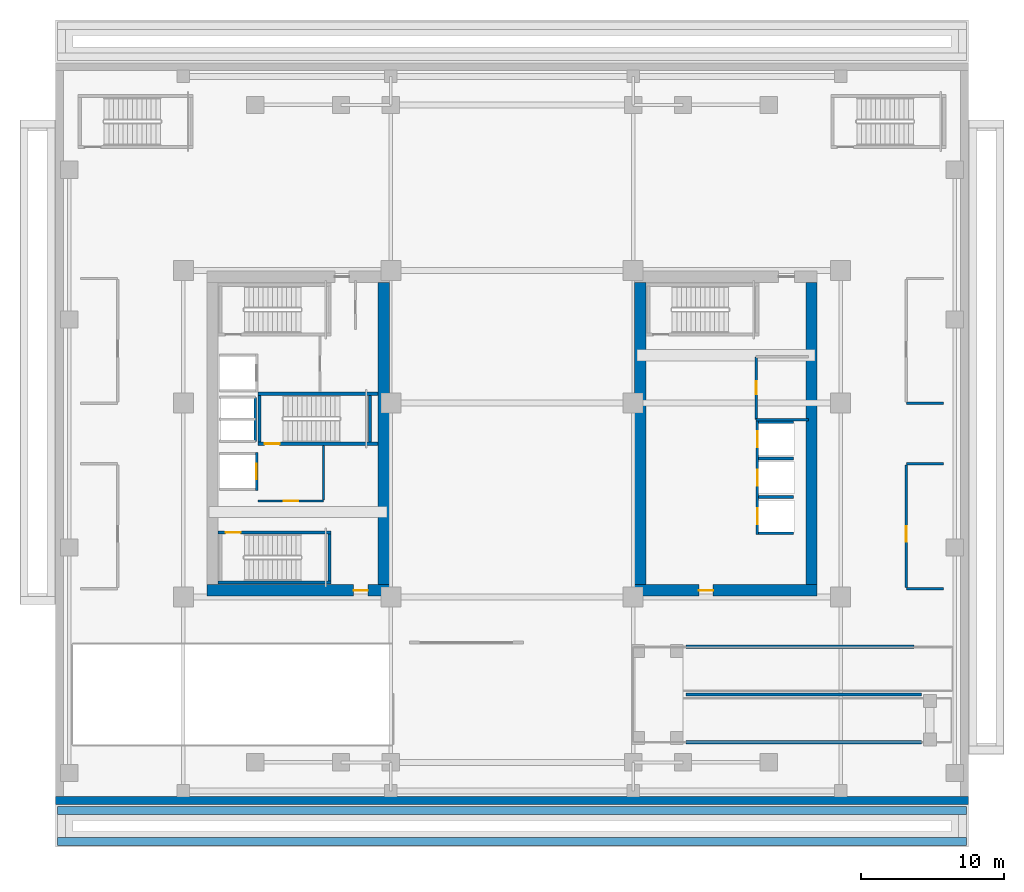
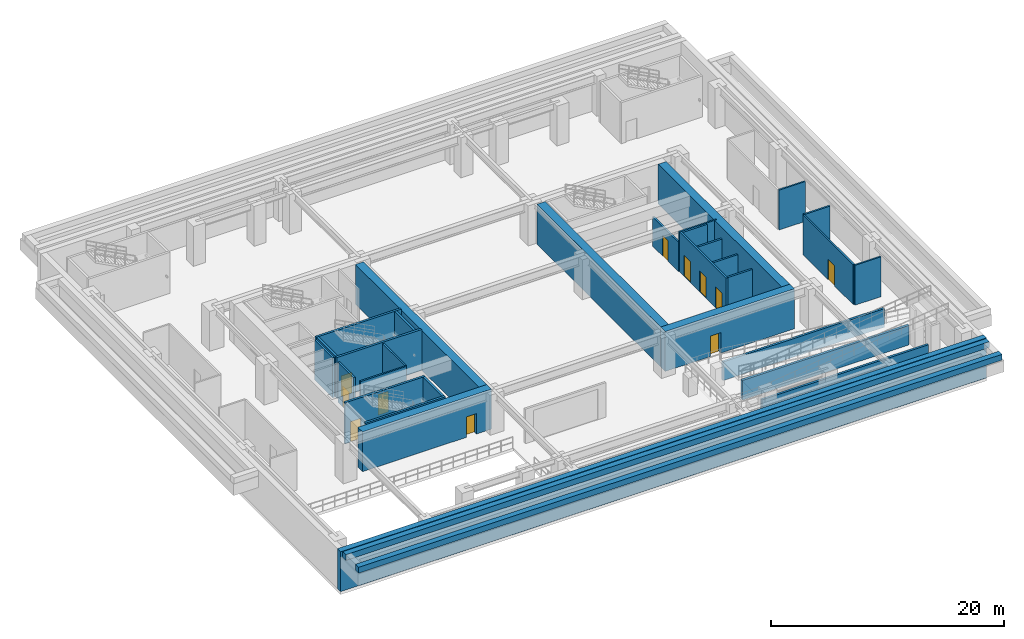
# One storey, part 3 of 9: 33 walls, 11 doors, 11 openings.
"""IFC4 building model written with IfcOpenShell, lengths in metres."""

from ifc_helpers import new_model, si_unit, direction, frame, frame_2d, origin, place, context, subcontext, project, spatial, rectangle, extrude, source, transform, mapped, material, layer, layer_set, type_object, element, fill, save


model = new_model("IFC4")

# Units and contexts
model_context = context("Model", 3, precision=1e-05, world=origin(), true_north=direction((0.0, 1.0)))
body_context = subcontext(model_context, "Body", "Model", "MODEL_VIEW")
ifc_project = project(units=[si_unit("LENGTHUNIT", "METRE"), si_unit("AREAUNIT", "SQUARE_METRE"), si_unit("VOLUMEUNIT", "CUBIC_METRE"), si_unit("PLANEANGLEUNIT", "RADIAN"), si_unit("MASSUNIT", "GRAM", prefix="KILO")], contexts=[model_context])

# Site, building, storey
site_placement = place(None, origin())
site = spatial("IfcSite", under=ifc_project, at=site_placement, CompositionType="ELEMENT")
building_placement = place(site_placement, origin())
building = spatial("IfcBuilding", under=site, at=building_placement, Name="Ocotamira Hotel", CompositionType="ELEMENT")
storey_placement = place(building_placement, frame((0.0, 0.0, -4.5)))
storey = spatial("IfcBuildingStorey", under=building, at=storey_placement, Name="B01", CompositionType="ELEMENT", Elevation=-4.5)

# Wall, opening, door
ifc_material_1 = material(Name="Concrete C60/75", Category="concrete")
ifc_layer_1 = layer(ifc_material_1, 0.800048828125)
ifc_layer_set_1 = layer_set([ifc_layer_1], Name="Concrete C60/75")
wall_type_1 = type_object("IfcWallType", Name="WL-CORE-800", PredefinedType="SHEAR", material=ifc_layer_set_1)
wall_1_placement = place(storey_placement, frame((10.60009765625, 15.0, 0.0), z_axis=(0.0, 0.0, 1.0), x_axis=(1.0, 0.0, 0.0)))
wall_1 = element("IfcWall", 1, at=wall_1_placement, inside=storey, type_object=wall_type_1, Name="B01 Shear Core Wall WCORE-S", PredefinedType="SHEAR", context=body_context, shape_type="SweptSolid", body=[
    extrude(rectangle(XDim=12.7998046875, YDim=0.800048828125, at=frame_2d((6.39990234375, 0.0))), origin(), (0.0, 0.0, 1.0), 4.179931640625),
])
opening_1_placement = place(wall_1_placement, frame((10.300048828125, 0.0, 0.0)))
opening_1 = element("IfcOpeningElement", 2, at=opening_1_placement, cuts=wall_1, Name="Opening D-FR2", PredefinedType="OPENING", context=body_context, shape_type="SweptSolid", body=[
    extrude(rectangle(XDim=1.0, YDim=2.14990234375, at=frame_2d((0.5, 1.074951171875))), frame((0.0, 0.41015625, 0.0), z_axis=(0.0, -1.0, 0.0), x_axis=(1.0, 0.0, 0.0)), (0.0, 0.0, 1.0), 0.820068359375),
])
ifc_material_2 = material(Name="Fire-rated acoustic timber-veneer door", Category="wood")
door_type_1 = type_object("IfcDoorType", Name="DR-FIRE-1000", OperationType="NOTDEFINED", PredefinedType="DOOR", material=ifc_material_2)
shared_shape_1 = source(origin(), body_context, "Body", "SweptSolid", [
    extrude(rectangle(XDim=1.0, YDim=2.14990234375, at=frame_2d((0.5, 1.074951171875))), frame((0.0, 0.02490234375, 0.0), z_axis=(0.0, -1.0, 0.0), x_axis=(1.0, 0.0, 0.0)), (0.0, 0.0, 1.0), 0.050048828125),
])
door_1_placement = place(opening_1_placement, origin())
door_1 = element("IfcDoor", 3, at=door_1_placement, inside=storey, type_object=door_type_1, Name="B01 Door ID-B01-WLOB-S-D [ID-B01-WLOB-S-D]", OperationType="SINGLE_SWING_LEFT", OverallHeight=2.14990234375, OverallWidth=1.0, PredefinedType="DOOR", context=body_context, shape_type="MappedRepresentation", body=[
    mapped(shared_shape_1, transform((0.0, 0.0, 0.0), scale=1.0)),
])
fill(opening_1, door_1)

# Wall
wall_2_placement = place(storey_placement, frame((23.0, 15.39990234375, 0.0), z_axis=(0.0, 0.0, 1.0), x_axis=(0.0, 1.0, 0.0)))
element("IfcWall", 4, at=wall_2_placement, inside=storey, type_object=wall_type_1, Name="B01 Shear Core Wall WCORE-E", PredefinedType="SHEAR", context=body_context, shape_type="SweptSolid", body=[
    extrude(rectangle(XDim=21.2001953125, YDim=0.800048828125, at=frame_2d((10.60009765625, 0.0))), origin(), (0.0, 0.0, 1.0), 4.179931640625),
])

# Wall, opening, door
wall_3_placement = place(storey_placement, frame((40.60009765625, 15.0, 0.0), z_axis=(0.0, 0.0, 1.0), x_axis=(1.0, 0.0, 0.0)))
wall_3 = element("IfcWall", 5, at=wall_3_placement, inside=storey, type_object=wall_type_1, Name="B01 Shear Core Wall ECORE-S", PredefinedType="SHEAR", context=body_context, shape_type="SweptSolid", body=[
    extrude(rectangle(XDim=12.7998046875, YDim=0.800048828125, at=frame_2d((6.39990234375, 0.0))), origin(), (0.0, 0.0, 1.0), 4.179931640625),
])
opening_2_placement = place(wall_3_placement, frame((4.5, 0.0, 0.0)))
opening_2 = element("IfcOpeningElement", 6, at=opening_2_placement, cuts=wall_3, Name="Opening D-FR2", PredefinedType="OPENING", context=body_context, shape_type="SweptSolid", body=[
    extrude(rectangle(XDim=1.0, YDim=2.14990234375, at=frame_2d((0.5, 1.074951171875))), frame((0.0, 0.41015625, 0.0), z_axis=(0.0, -1.0, 0.0), x_axis=(1.0, 0.0, 0.0)), (0.0, 0.0, 1.0), 0.820068359375),
])
door_2_placement = place(opening_2_placement, origin())
door_2 = element("IfcDoor", 7, at=door_2_placement, inside=storey, type_object=door_type_1, Name="B01 Door ID-B01-ELOB-S-D [ID-B01-ELOB-S-D]", OperationType="SINGLE_SWING_RIGHT", OverallHeight=2.14990234375, OverallWidth=1.0, PredefinedType="DOOR", context=body_context, shape_type="MappedRepresentation", body=[
    mapped(shared_shape_1, transform((0.0, 0.0, 0.0), scale=1.0)),
])
fill(opening_2, door_2)

# Walls
for number, where, z_axis, x_axis, name in (
    (8, (41.0, 15.39990234375, 0.0), (0.0, 0.0, 1.0), (0.0, 1.0, 0.0), "B01 Shear Core Wall ECORE-W"),
    (9, (53.0, 15.39990234375, 0.0), (0.0, 0.0, 1.0), (0.0, 1.0, 0.0), "B01 Shear Core Wall ECORE-E"),
):
    element("IfcWall", number, at=place(storey_placement, frame(where, z_axis=z_axis, x_axis=x_axis)), inside=storey, type_object=wall_type_1, Name=name, PredefinedType="SHEAR", context=body_context, shape_type="SweptSolid", body=[
        extrude(rectangle(XDim=21.2001953125, YDim=0.800048828125, at=frame_2d((10.60009765625, 0.0))), origin(), (0.0, 0.0, 1.0), 4.179931640625),
    ])

# Wall, opening, door
ifc_material_3 = material(Name="Acoustic double-layer fire gypsum board partition", Category="gypsum")
ifc_layer_2 = layer(ifc_material_3, 0.159912109375)
ifc_layer_set_2 = layer_set([ifc_layer_2], Name="Acoustic double-layer fire gypsum board partition")
wall_type_2 = type_object("IfcWallType", Name="WL-FIRE-160", PredefinedType="PARTITIONING", material=ifc_layer_set_2)
wall_4_placement = place(storey_placement, frame((14.199951171875, 21.27001953125, 0.0), z_axis=(0.0, 0.0, 1.0), x_axis=(1.0, 0.0, 0.0)))
wall_4 = element("IfcWall", 10, at=wall_4_placement, inside=storey, type_object=wall_type_2, Name="B01 Interior Wall PW-B01-FSAE1-S", PredefinedType="PARTITIONING", context=body_context, shape_type="SweptSolid", body=[
    extrude(rectangle(XDim=4.580078125, YDim=0.159912109375, at=frame_2d((2.2900390625, 0.0))), origin(), (0.0, 0.0, 1.0), 4.179931640625),
])
opening_3_placement = place(wall_4_placement, frame((1.800048828125, 0.0, 0.0)))
opening_3 = element("IfcOpeningElement", 11, at=opening_3_placement, cuts=wall_4, Name="Opening D-FR2", PredefinedType="OPENING", context=body_context, shape_type="SweptSolid", body=[
    extrude(rectangle(XDim=1.0, YDim=2.14990234375, at=frame_2d((0.5, 1.074951171875))), frame((0.0, 0.08984375, 0.0), z_axis=(0.0, -1.0, 0.0), x_axis=(1.0, 0.0, 0.0)), (0.0, 0.0, 1.0), 0.179931640625),
])
door_3_placement = place(opening_3_placement, origin())
door_3 = element("IfcDoor", 12, at=door_3_placement, inside=storey, type_object=door_type_1, Name="B01 Door ID-B01-FSAE1-D [ID-B01-FSAE1-D]", OperationType="SINGLE_SWING_LEFT", OverallHeight=2.14990234375, OverallWidth=1.0, PredefinedType="DOOR", context=body_context, shape_type="MappedRepresentation", body=[
    mapped(shared_shape_1, transform((0.0, 0.0, 0.0), scale=1.0)),
])
fill(opening_3, door_3)

# Walls
wall_5_placement = place(storey_placement, frame((18.780029296875, 21.35009765625, 0.0), z_axis=(0.0, 0.0, 1.0), x_axis=(0.0, 1.0, 0.0)))
element("IfcWall", 13, at=wall_5_placement, inside=storey, type_object=wall_type_2, Name="B01 Interior Wall PW-B01-FSAE1-E", PredefinedType="PARTITIONING", context=body_context, shape_type="SweptSolid", body=[
    extrude(rectangle(XDim=3.809814453125, YDim=0.159912109375, at=frame_2d((1.90478515625, 0.0))), origin(), (0.0, 0.0, 1.0), 4.179931640625),
])
wall_6_placement = place(storey_placement, frame((49.1201171875, 26.969970703125, 0.0), z_axis=(0.0, 0.0, 1.0), x_axis=(1.0, 0.0, 0.0)))
element("IfcWall", 14, at=wall_6_placement, inside=storey, type_object=wall_type_2, Name="B01 Interior Wall PW-B01-EC-NEL-S", PredefinedType="PARTITIONING", context=body_context, shape_type="SweptSolid", body=[
    extrude(rectangle(XDim=3.679931640625, YDim=0.159912109375, at=frame_2d((1.83984375, 0.0))), origin(), (0.0, 0.0, 1.0), 4.179931640625),
])

# Wall, opening, door
wall_7_placement = place(storey_placement, frame((49.1201171875, 26.969970703125, 0.0), z_axis=(0.0, 0.0, 1.0), x_axis=(0.0, 1.0, 0.0)))
wall_7 = element("IfcWall", 15, at=wall_7_placement, inside=storey, type_object=wall_type_2, Name="B01 Interior Wall PW-B01-EC-NEL-W", PredefinedType="PARTITIONING", context=body_context, shape_type="SweptSolid", body=[
    extrude(rectangle(XDim=4.409912109375, YDim=0.159912109375, at=frame_2d((2.205078125, 0.0))), origin(), (0.0, 0.0, 1.0), 3.080078125),
])
opening_4_placement = place(wall_7_placement, frame((1.800048828125, 0.0, 0.0)))
opening_4 = element("IfcOpeningElement", 16, at=opening_4_placement, cuts=wall_7, Name="Opening D-IN3", PredefinedType="OPENING", context=body_context, shape_type="SweptSolid", body=[
    extrude(rectangle(XDim=0.89990234375, YDim=2.14990234375, at=frame_2d((0.449951171875, 1.074951171875))), frame((0.0, 0.08984375, 0.0), z_axis=(0.0, -1.0, 0.0), x_axis=(1.0, 0.0, 0.0)), (0.0, 0.0, 1.0), 0.179931640625),
])
ifc_material_4 = material(Name="Painted service room door", Category="steel")
door_type_2 = type_object("IfcDoorType", Name="DR-INT-900", OperationType="NOTDEFINED", PredefinedType="DOOR", material=ifc_material_4)
shared_shape_2 = source(origin(), body_context, "Body", "SweptSolid", [
    extrude(rectangle(XDim=0.89990234375, YDim=2.14990234375, at=frame_2d((0.449951171875, 1.074951171875))), frame((0.0, 0.02490234375, 0.0), z_axis=(0.0, -1.0, 0.0), x_axis=(1.0, 0.0, 0.0)), (0.0, 0.0, 1.0), 0.050048828125),
])
door_4_placement = place(opening_4_placement, origin())
door_4 = element("IfcDoor", 17, at=door_4_placement, inside=storey, type_object=door_type_2, Name="B01 Door ID-B01-EC-NEL-D [ID-B01-EC-NEL-D]", OperationType="SINGLE_SWING_RIGHT", OverallHeight=2.14990234375, OverallWidth=0.89990234375, PredefinedType="DOOR", context=body_context, shape_type="MappedRepresentation", body=[
    mapped(shared_shape_2, transform((0.0, 0.0, 0.0), scale=1.0)),
])
fill(opening_4, door_4)

# Walls
for number, where, z_axis, x_axis, name in (
    (18, (59.64990234375, 15.1201171875, 0.0), (0.0, 0.0, 1.0), (1.0, 0.0, 0.0), "B01 Interior Wall PW-B01-B01-GEN-S"),
    (19, (59.64990234375, 23.8798828125, 0.0), (0.0, 0.0, 1.0), (1.0, 0.0, 0.0), "B01 Interior Wall PW-B01-B01-GEN-N"),
):
    element("IfcWall", number, at=place(storey_placement, frame(where, z_axis=z_axis, x_axis=x_axis)), inside=storey, type_object=wall_type_2, Name=name, PredefinedType="PARTITIONING", context=body_context, shape_type="SweptSolid", body=[
        extrude(rectangle(XDim=2.60009765625, YDim=0.159912109375, at=frame_2d((1.300048828125, 0.0))), origin(), (0.0, 0.0, 1.0), 4.179931640625),
    ])

# Wall, opening, door
wall_8_placement = place(storey_placement, frame((59.64990234375, 15.199951171875, 0.0), z_axis=(0.0, 0.0, 1.0), x_axis=(0.0, 1.0, 0.0)))
wall_8 = element("IfcWall", 20, at=wall_8_placement, inside=storey, type_object=wall_type_2, Name="B01 Interior Wall PW-B01-B01-GEN-W", PredefinedType="PARTITIONING", context=body_context, shape_type="SweptSolid", body=[
    extrude(rectangle(XDim=8.60009765625, YDim=0.159912109375, at=frame_2d((4.300048828125, 0.0))), origin(), (0.0, 0.0, 1.0), 4.179931640625),
])
opening_5_placement = place(wall_8_placement, frame((3.199951171875, 0.0, 0.0)))
opening_5 = element("IfcOpeningElement", 21, at=opening_5_placement, cuts=wall_8, Name="Opening D-FR1", PredefinedType="OPENING", context=body_context, shape_type="SweptSolid", body=[
    extrude(rectangle(XDim=1.10009765625, YDim=2.14990234375, at=frame_2d((0.550048828125, 1.074951171875))), frame((0.0, 0.08984375, 0.0), z_axis=(0.0, -1.0, 0.0), x_axis=(1.0, 0.0, 0.0)), (0.0, 0.0, 1.0), 0.179931640625),
])
door_type_3 = type_object("IfcDoorType", Name="DR-FIRE-1100", OperationType="NOTDEFINED", PredefinedType="DOOR", material=ifc_material_2)
shared_shape_3 = source(origin(), body_context, "Body", "SweptSolid", [
    extrude(rectangle(XDim=1.10009765625, YDim=2.14990234375, at=frame_2d((0.550048828125, 1.074951171875))), frame((0.0, 0.02490234375, 0.0), z_axis=(0.0, -1.0, 0.0), x_axis=(1.0, 0.0, 0.0)), (0.0, 0.0, 1.0), 0.050048828125),
])
door_5_placement = place(opening_5_placement, origin())
door_5 = element("IfcDoor", 22, at=door_5_placement, inside=storey, type_object=door_type_3, Name="B01 Door ID-B01-B01-GEN-D [ID-B01-B01-GEN-D]", OperationType="SINGLE_SWING_RIGHT", OverallHeight=2.14990234375, OverallWidth=1.10009765625, PredefinedType="DOOR", context=body_context, shape_type="MappedRepresentation", body=[
    mapped(shared_shape_3, transform((0.0, 0.0, 0.0), scale=1.0)),
])
fill(opening_5, door_5)

# Walls
wall_9_placement = place(storey_placement, frame((59.64990234375, 28.1201171875, 0.0), z_axis=(0.0, 0.0, 1.0), x_axis=(1.0, 0.0, 0.0)))
element("IfcWall", 23, at=wall_9_placement, inside=storey, type_object=wall_type_2, Name="B01 Interior Wall PW-B01-B01-BIKE-S", PredefinedType="PARTITIONING", context=body_context, shape_type="SweptSolid", body=[
    extrude(rectangle(XDim=2.60009765625, YDim=0.159912109375, at=frame_2d((1.300048828125, 0.0))), origin(), (0.0, 0.0, 1.0), 4.179931640625),
])
ifc_material_5 = material(Name="Concrete C50/60", Category="concrete")
ifc_layer_3 = layer(ifc_material_5, 0.550048828125)
ifc_layer_set_3 = layer_set([ifc_layer_3], Name="Concrete C50/60")
wall_type_3 = type_object("IfcWallType", Name="WL-RET-550", PredefinedType="USERDEFINED", material=ifc_layer_set_3)
for number, where, z_axis, x_axis, name in (
    (24, (0.125, -2.60009765625, 3.64990234375), (0.0, 0.0, 1.0), (1.0, 0.0, 0.0), "B01 Shear Core Wall RW-PLZ-SOUTH-S"),
    (25, (0.125, -0.419921875, 3.64990234375), (0.0, 0.0, 1.0), (1.0, 0.0, 0.0), "B01 Shear Core Wall RW-PLZ-SOUTH-N"),
):
    element("IfcWall", number, at=place(storey_placement, frame(where, z_axis=z_axis, x_axis=x_axis)), inside=storey, type_object=wall_type_3, Name=name, ObjectType="RETAINING WALL", PredefinedType="USERDEFINED", context=body_context, shape_type="SweptSolid", body=[
        extrude(rectangle(XDim=63.75, YDim=0.550048828125, at=frame_2d((31.875, 0.0))), origin(), (0.0, 0.0, 1.0), 0.60009765625),
    ])
wall_10_placement = place(storey_placement, frame((0.0, 0.27490234375, 0.0), z_axis=(0.0, 0.0, 1.0), x_axis=(1.0, 0.0, 0.0)))
element("IfcWall", 26, at=wall_10_placement, inside=storey, type_object=wall_type_3, Name="B01 Shear Core Wall RW-PERIM-S", ObjectType="RETAINING WALL", PredefinedType="USERDEFINED", context=body_context, shape_type="SweptSolid", body=[
    extrude(rectangle(XDim=64.0, YDim=0.550048828125, at=frame_2d((32.0, 0.0))), origin(), (0.0, 0.0, 1.0), 4.179931640625),
])

# Wall, openings, doors
ifc_material_6 = material(Name="Fire-rated gypsum shaftliner board assembly", Category="gypsum")
ifc_layer_4 = layer(ifc_material_6, 0.179931640625)
ifc_layer_set_4 = layer_set([ifc_layer_4], Name="Fire-rated gypsum shaftliner board assembly")
wall_type_4 = type_object("IfcWallType", Name="WL-SHAFT-180", PredefinedType="SOLIDWALL", material=ifc_layer_set_4)
wall_11_placement = place(storey_placement, frame((49.2099609375, 18.919921875, 0.0), z_axis=(0.0, 0.0, 1.0), x_axis=(0.0, 1.0, 0.0)))
wall_11 = element("IfcWall", 27, at=wall_11_placement, inside=storey, type_object=wall_type_4, Name="B01 Interior Wall PW-B01-LFW-BANK-low-F", PredefinedType="SOLIDWALL", context=body_context, shape_type="SweptSolid", body=[
    extrude(rectangle(XDim=7.9599609375, YDim=0.179931640625, at=frame_2d((3.97998046875, 0.0))), origin(), (0.0, 0.0, 1.0), 4.179931640625),
])
opening_6_placement = place(wall_11_placement, frame((0.72998046875, 0.0, 0.0)))
opening_6 = element("IfcOpeningElement", 28, at=opening_6_placement, cuts=wall_11, Name="Opening LD-LF-P1", PredefinedType="OPENING", context=body_context, shape_type="SweptSolid", body=[
    extrude(rectangle(XDim=1.10009765625, YDim=2.199951171875, at=frame_2d((0.550048828125, 1.10009765625))), frame((0.0, 0.10009765625, 0.0), z_axis=(0.0, -1.0, 0.0), x_axis=(1.0, 0.0, 0.0)), (0.0, 0.0, 1.0), 0.199951171875),
])
opening_7_placement = place(wall_11_placement, frame((3.429931640625, 0.0, 0.0)))
opening_7 = element("IfcOpeningElement", 29, at=opening_7_placement, cuts=wall_11, Name="Opening LD-LF-P2", PredefinedType="OPENING", context=body_context, shape_type="SweptSolid", body=[
    extrude(rectangle(XDim=1.10009765625, YDim=2.199951171875, at=frame_2d((0.550048828125, 1.10009765625))), frame((0.0, 0.10009765625, 0.0), z_axis=(0.0, -1.0, 0.0), x_axis=(1.0, 0.0, 0.0)), (0.0, 0.0, 1.0), 0.199951171875),
])
opening_8_placement = place(wall_11_placement, frame((6.1298828125, 0.0, 0.0)))
opening_8 = element("IfcOpeningElement", 30, at=opening_8_placement, cuts=wall_11, Name="Opening LD-LF-P3", PredefinedType="OPENING", context=body_context, shape_type="SweptSolid", body=[
    extrude(rectangle(XDim=1.10009765625, YDim=2.199951171875, at=frame_2d((0.550048828125, 1.10009765625))), frame((0.0, 0.10009765625, 0.0), z_axis=(0.0, -1.0, 0.0), x_axis=(1.0, 0.0, 0.0)), (0.0, 0.0, 1.0), 0.199951171875),
])
ifc_material_7 = material(Name="Brushed pale-metal stainless elevator landing door", Category="steel")
door_type_4 = type_object("IfcDoorType", Name="DR-LIFT-1100", OperationType="NOTDEFINED", PredefinedType="DOOR", material=ifc_material_7)
shared_shape_4 = source(origin(), body_context, "Body", "SweptSolid", [
    extrude(rectangle(XDim=1.10009765625, YDim=2.199951171875, at=frame_2d((0.550048828125, 1.10009765625))), frame((0.0, 0.02490234375, 0.0), z_axis=(0.0, -1.0, 0.0), x_axis=(1.0, 0.0, 0.0)), (0.0, 0.0, 1.0), 0.050048828125),
])
door_6_placement = place(opening_6_placement, origin())
door_6 = element("IfcDoor", 31, at=door_6_placement, inside=storey, type_object=door_type_4, Name="B01 Landing Door LD-LF-P1 [ID-B01-LD-LF-P1]", OperationType="DOUBLE_DOOR_SLIDING", OverallHeight=2.199951171875, OverallWidth=1.10009765625, PredefinedType="DOOR", context=body_context, shape_type="MappedRepresentation", body=[
    mapped(shared_shape_4, transform((0.0, 0.0, 0.0), scale=1.0)),
])
fill(opening_6, door_6)
door_7_placement = place(opening_7_placement, origin())
door_7 = element("IfcDoor", 32, at=door_7_placement, inside=storey, type_object=door_type_4, Name="B01 Landing Door LD-LF-P2 [ID-B01-LD-LF-P2]", OperationType="DOUBLE_DOOR_SLIDING", OverallHeight=2.199951171875, OverallWidth=1.10009765625, PredefinedType="DOOR", context=body_context, shape_type="MappedRepresentation", body=[
    mapped(shared_shape_4, transform((0.0, 0.0, 0.0), scale=1.0)),
])
fill(opening_7, door_7)
door_8_placement = place(opening_8_placement, origin())
door_8 = element("IfcDoor", 33, at=door_8_placement, inside=storey, type_object=door_type_4, Name="B01 Landing Door LD-LF-P3 [ID-B01-LD-LF-P3]", OperationType="DOUBLE_DOOR_SLIDING", OverallHeight=2.199951171875, OverallWidth=1.10009765625, PredefinedType="DOOR", context=body_context, shape_type="MappedRepresentation", body=[
    mapped(shared_shape_4, transform((0.0, 0.0, 0.0), scale=1.0)),
])
fill(opening_8, door_8)

# Walls
for number, where, z_axis, x_axis, name in (
    (34, (49.300048828125, 19.010009765625, 0.0), (0.0, 0.0, 1.0), (1.0, 0.0, 0.0), "B01 Interior Wall PW-B01-LFW-BANK-low-S"),
    (35, (49.300048828125, 26.7900390625, 0.0), (0.0, 0.0, 1.0), (1.0, 0.0, 0.0), "B01 Interior Wall PW-B01-LFW-BANK-low-N"),
    (36, (49.300048828125, 21.550048828125, 0.0), (0.0, 0.0, 1.0), (1.0, 0.0, 0.0), "B01 Interior Wall PW-B01-LFW-DIV-LF-P1"),
    (37, (49.300048828125, 24.25, 0.0), (0.0, 0.0, 1.0), (1.0, 0.0, 0.0), "B01 Interior Wall PW-B01-LFW-DIV-LF-P2"),
):
    element("IfcWall", number, at=place(storey_placement, frame(where, z_axis=z_axis, x_axis=x_axis)), inside=storey, type_object=wall_type_4, Name=name, PredefinedType="SOLIDWALL", context=body_context, shape_type="SweptSolid", body=[
        extrude(rectangle(XDim=2.449951171875, YDim=0.179931640625, at=frame_2d((1.22509765625, 0.0))), origin(), (0.0, 0.0, 1.0), 4.179931640625),
    ])

# Wall, opening, door
wall_12_placement = place(storey_placement, frame((14.090087890625, 22.02001953125, 0.0), z_axis=(0.0, 0.0, 1.0), x_axis=(0.0, 1.0, 0.0)))
wall_12 = element("IfcWall", 38, at=wall_12_placement, inside=storey, type_object=wall_type_4, Name="B01 Interior Wall PW-B01-LFW-LF-FSAE1-E", PredefinedType="SOLIDWALL", context=body_context, shape_type="SweptSolid", body=[
    extrude(rectangle(XDim=2.659912109375, YDim=0.179931640625, at=frame_2d((1.330078125, 0.0))), origin(), (0.0, 0.0, 1.0), 4.179931640625),
])
opening_9_placement = place(wall_12_placement, frame((0.780029296875, 0.0, 0.0)))
opening_9 = element("IfcOpeningElement", 39, at=opening_9_placement, cuts=wall_12, Name="Opening LD-LF-FSAE1", PredefinedType="OPENING", context=body_context, shape_type="SweptSolid", body=[
    extrude(rectangle(XDim=1.10009765625, YDim=2.199951171875, at=frame_2d((0.550048828125, 1.10009765625))), frame((0.0, 0.10009765625, 0.0), z_axis=(0.0, -1.0, 0.0), x_axis=(1.0, 0.0, 0.0)), (0.0, 0.0, 1.0), 0.199951171875),
])
door_9_placement = place(opening_9_placement, origin())
door_9 = element("IfcDoor", 40, at=door_9_placement, inside=storey, type_object=door_type_4, Name="B01 Landing Door LD-LF-FSAE1 [ID-B01-LD-LF-FSAE1]", OperationType="DOUBLE_DOOR_SLIDING", OverallHeight=2.199951171875, OverallWidth=1.10009765625, PredefinedType="DOOR", context=body_context, shape_type="MappedRepresentation", body=[
    mapped(shared_shape_4, transform((0.0, 0.0, 0.0), scale=1.0)),
])
fill(opening_9, door_9)

# Walls
wall_13_placement = place(storey_placement, frame((14.010009765625, 25.4599609375, 0.0), z_axis=(0.0, 0.0, 1.0), x_axis=(0.0, 1.0, 0.0)))
element("IfcWall", 41, at=wall_13_placement, inside=storey, type_object=wall_type_4, Name="B01 Interior Wall PW-B01-RSW-E", PredefinedType="SOLIDWALL", context=body_context, shape_type="SweptSolid", body=[
    extrude(rectangle(XDim=3.080078125, YDim=0.179931640625, at=frame_2d((1.5400390625, 0.0))), origin(), (0.0, 0.0, 1.0), 4.179931640625),
])
ifc_layer_5 = layer(ifc_material_5, 0.219970703125)
ifc_layer_set_5 = layer_set([ifc_layer_5], Name="Concrete C50/60")
wall_type_5 = type_object("IfcWallType", Name="WL-STAIR-220", PredefinedType="SHEAR", material=ifc_layer_set_5)
wall_14_placement = place(storey_placement, frame((11.39990234375, 15.56005859375, 0.0), z_axis=(0.0, 0.0, 1.0), x_axis=(1.0, 0.0, 0.0)))
element("IfcWall", 42, at=wall_14_placement, inside=storey, type_object=wall_type_5, Name="B01 Stair Shaft Structural Wall ST-1-S", PredefinedType="SHEAR", context=body_context, shape_type="SweptSolid", body=[
    extrude(rectangle(XDim=7.91015625, YDim=0.219970703125, at=frame_2d((3.955078125, 0.0))), origin(), (0.0, 0.0, 1.0), 4.300048828125),
])

# Wall, opening, door
wall_15_placement = place(storey_placement, frame((11.39990234375, 19.06005859375, 0.0), z_axis=(0.0, 0.0, 1.0), x_axis=(1.0, 0.0, 0.0)))
wall_15 = element("IfcWall", 43, at=wall_15_placement, inside=storey, type_object=wall_type_5, Name="B01 Stair Shaft Structural Wall ST-1-N", PredefinedType="SHEAR", context=body_context, shape_type="SweptSolid", body=[
    extrude(rectangle(XDim=7.91015625, YDim=0.219970703125, at=frame_2d((3.955078125, 0.0))), origin(), (0.0, 0.0, 1.0), 4.300048828125),
])
opening_10_placement = place(wall_15_placement, frame((0.52001953125, 0.0, 0.0)))
opening_10 = element("IfcOpeningElement", 44, at=opening_10_placement, cuts=wall_15, Name="Opening D-ST2", PredefinedType="OPENING", context=body_context, shape_type="SweptSolid", body=[
    extrude(rectangle(XDim=1.050048828125, YDim=2.14990234375, at=frame_2d((0.52490234375, 1.074951171875))), frame((0.0, 0.1201171875, 0.0), z_axis=(0.0, -1.0, 0.0), x_axis=(1.0, 0.0, 0.0)), (0.0, 0.0, 1.0), 0.239990234375),
])
ifc_material_8 = material(Name="Insulated painted hollow-metal fire exit door", Category="steel")
door_type_5 = type_object("IfcDoorType", Name="DR-STAIR-1050", OperationType="NOTDEFINED", PredefinedType="DOOR", material=ifc_material_8)
shared_shape_5 = source(origin(), body_context, "Body", "SweptSolid", [
    extrude(rectangle(XDim=1.050048828125, YDim=2.14990234375, at=frame_2d((0.52490234375, 1.074951171875))), frame((0.0, 0.02490234375, 0.0), z_axis=(0.0, -1.0, 0.0), x_axis=(1.0, 0.0, 0.0)), (0.0, 0.0, 1.0), 0.050048828125),
])
door_10_placement = place(opening_10_placement, origin())
door_10 = element("IfcDoor", 45, at=door_10_placement, inside=storey, type_object=door_type_5, Name="B01 Door ID-B01-STD-ST-1 [ID-B01-STD-ST-1]", OperationType="SINGLE_SWING_LEFT", OverallHeight=2.14990234375, OverallWidth=1.050048828125, PredefinedType="DOOR", context=body_context, shape_type="MappedRepresentation", body=[
    mapped(shared_shape_5, transform((0.0, 0.0, 0.0), scale=1.0)),
])
fill(opening_10, door_10)

# Wall
wall_16_placement = place(storey_placement, frame((19.199951171875, 15.669921875, 0.0), z_axis=(0.0, 0.0, 1.0), x_axis=(0.0, 1.0, 0.0)))
element("IfcWall", 46, at=wall_16_placement, inside=storey, type_object=wall_type_5, Name="B01 Stair Shaft Structural Wall ST-1-E", PredefinedType="SHEAR", context=body_context, shape_type="SweptSolid", body=[
    extrude(rectangle(XDim=3.280029296875, YDim=0.219970703125, at=frame_2d((1.64013671875, 0.0))), origin(), (0.0, 0.0, 1.0), 4.300048828125),
])

# Wall, opening, door
wall_17_placement = place(storey_placement, frame((14.179931640625, 25.2900390625, 0.0), z_axis=(0.0, 0.0, 1.0), x_axis=(1.0, 0.0, 0.0)))
wall_17 = element("IfcWall", 47, at=wall_17_placement, inside=storey, type_object=wall_type_5, Name="B01 Stair Shaft Structural Wall ST-3-S", PredefinedType="SHEAR", context=body_context, shape_type="SweptSolid", body=[
    extrude(rectangle(XDim=8.420166015625, YDim=0.219970703125, at=frame_2d((4.2099609375, 0.0))), origin(), (0.0, 0.0, 1.0), 4.300048828125),
])
opening_11_placement = place(wall_17_placement, frame((0.469970703125, 0.0, 0.0)))
opening_11 = element("IfcOpeningElement", 48, at=opening_11_placement, cuts=wall_17, Name="Opening D-ST2", PredefinedType="OPENING", context=body_context, shape_type="SweptSolid", body=[
    extrude(rectangle(XDim=1.050048828125, YDim=2.14990234375, at=frame_2d((0.52490234375, 1.074951171875))), frame((0.0, 0.1201171875, 0.0), z_axis=(0.0, -1.0, 0.0), x_axis=(1.0, 0.0, 0.0)), (0.0, 0.0, 1.0), 0.239990234375),
])
door_11_placement = place(opening_11_placement, origin())
door_11 = element("IfcDoor", 49, at=door_11_placement, inside=storey, type_object=door_type_5, Name="B01 Door ID-B01-STD-ST-3 [ID-B01-STD-ST-3]", OperationType="SINGLE_SWING_LEFT", OverallHeight=2.14990234375, OverallWidth=1.050048828125, PredefinedType="DOOR", context=body_context, shape_type="MappedRepresentation", body=[
    mapped(shared_shape_5, transform((0.0, 0.0, 0.0), scale=1.0)),
])
fill(opening_11, door_11)

# Walls
wall_18_placement = place(storey_placement, frame((14.179931640625, 28.7900390625, 0.0), z_axis=(0.0, 0.0, 1.0), x_axis=(1.0, 0.0, 0.0)))
element("IfcWall", 50, at=wall_18_placement, inside=storey, type_object=wall_type_5, Name="B01 Stair Shaft Structural Wall ST-3-N", PredefinedType="SHEAR", context=body_context, shape_type="SweptSolid", body=[
    extrude(rectangle(XDim=8.420166015625, YDim=0.219970703125, at=frame_2d((4.2099609375, 0.0))), origin(), (0.0, 0.0, 1.0), 4.300048828125),
])
for number, where, z_axis, x_axis, name in (
    (51, (14.2900390625, 25.39990234375, 0.0), (0.0, 0.0, 1.0), (0.0, 1.0, 0.0), "B01 Stair Shaft Structural Wall ST-3-W"),
    (52, (22.030029296875, 25.39990234375, 0.0), (0.0, 0.0, 1.0), (0.0, 1.0, 0.0), "B01 Stair Shaft Structural Wall ST-3-E"),
):
    element("IfcWall", number, at=place(storey_placement, frame(where, z_axis=z_axis, x_axis=x_axis)), inside=storey, type_object=wall_type_5, Name=name, PredefinedType="SHEAR", context=body_context, shape_type="SweptSolid", body=[
        extrude(rectangle(XDim=3.280029296875, YDim=0.219970703125, at=frame_2d((1.64013671875, 0.0))), origin(), (0.0, 0.0, 1.0), 4.300048828125),
    ])
for number, where, z_axis, x_axis, name in (
    (53, (44.199951171875, 4.35009765625, 0.0), (0.0, 0.0, 1.0), (1.0, 0.0, 0.0), "B01 Ramp VR-2 South Support Wall"),
    (54, (44.199951171875, 7.699951171875, 0.0), (0.0, 0.0, 1.0), (1.0, 0.0, 0.0), "B01 Ramp VR-2 Center Spine Wall"),
):
    element("IfcWall", number, at=place(storey_placement, frame(where, z_axis=z_axis, x_axis=x_axis)), inside=storey, type_object=wall_type_5, Name=name, PredefinedType="SHEAR", context=body_context, shape_type="SweptSolid", body=[
        extrude(rectangle(XDim=16.5, YDim=0.219970703125, at=frame_2d((8.25, 0.0))), origin(), (0.0, 0.0, 1.0), 2.050048828125),
    ])
wall_19_placement = place(storey_placement, frame((44.199951171875, 11.050048828125, 0.0), z_axis=(0.0, 0.0, 1.0), x_axis=(1.0, 0.0, 0.0)))
element("IfcWall", 55, at=wall_19_placement, inside=storey, type_object=wall_type_5, Name="B01 Ramp VR-2 North Support Wall", PredefinedType="SHEAR", context=body_context, shape_type="SweptSolid", body=[
    extrude(rectangle(XDim=16.0, YDim=0.219970703125, at=frame_2d((8.0, 0.0))), origin(), (0.0, 0.0, 1.0), 1.949951171875),
])

save(model, "model.ifc")
